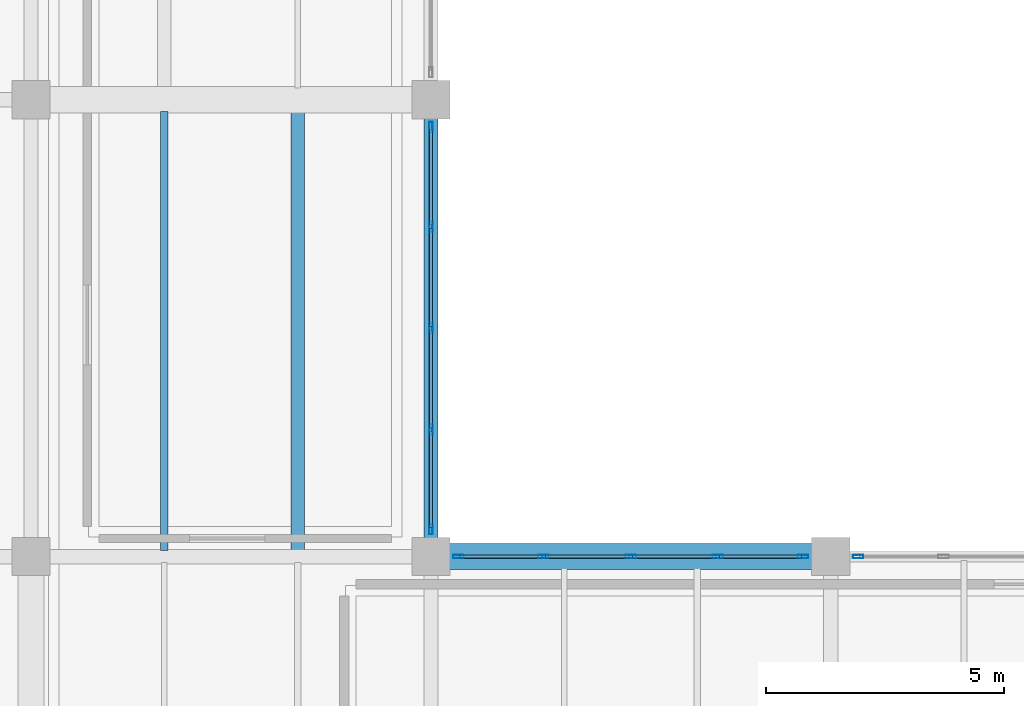
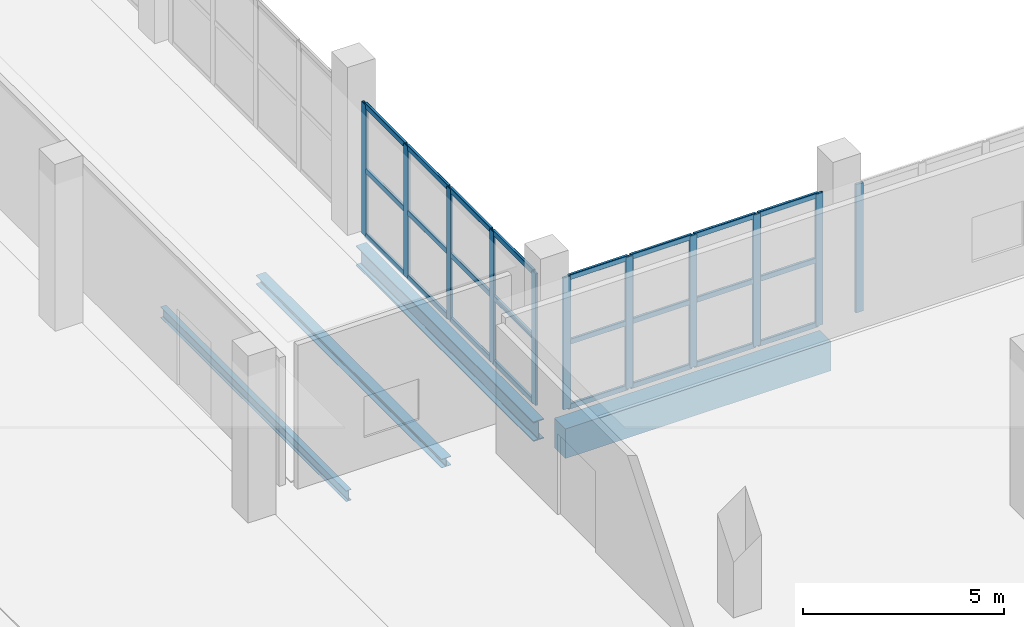
# One storey, part 37 of 73: 35 members, 4 beams, 3 elements without a shape of their own.
"""IFC4 building model written with IfcOpenShell, lengths in metres."""

from ifc_helpers import new_model, si_unit, direction, frame, origin, origin_2d, place, context, subcontext, project, spatial, rectangle, hollow_rectangle, i_section, extrude, material, layer, layer_set, material_profile, profile_set, type_object, element, aggregate, save


model = new_model("IFC4")

# Units and contexts
model_context = context("Model", 3, precision=1e-05, world=origin(), true_north=direction((0.0, 1.0)))
body_context = subcontext(model_context, "Body", "Model", "MODEL_VIEW")
ifc_project = project(units=[si_unit("LENGTHUNIT", "METRE"), si_unit("AREAUNIT", "SQUARE_METRE"), si_unit("VOLUMEUNIT", "CUBIC_METRE"), si_unit("PLANEANGLEUNIT", "RADIAN"), si_unit("MASSUNIT", "GRAM", prefix="KILO")], contexts=[model_context])

# Site, building, storey
site_placement = place(None, origin())
site = spatial("IfcSite", under=ifc_project, at=site_placement, CompositionType="ELEMENT")
building_placement = place(site_placement, origin())
building = spatial("IfcBuilding", under=site, at=building_placement, Name="Zulmaris Art Gallery", CompositionType="ELEMENT")
storey_placement = place(building_placement, frame((0.0, 0.0, 10.5)))
storey = spatial("IfcBuildingStorey", under=building, at=storey_placement, Name="L02", CompositionType="ELEMENT", Elevation=10.5)

# Beams
ifc_material_1 = material(Name="Steel S355J2", Category="steel")
ifc_material_profile_1 = material_profile(ifc_material_1, i_section(OverallWidth=0.300048828125, OverallDepth=0.60009765625, WebThickness=0.015380859375, FlangeThickness=0.030029296875, FilletRadius=0.027099609375, at=origin_2d()), Name="HEB 600")
ifc_profile_set_1 = profile_set([ifc_material_profile_1], Name="Steel S355J2")
beam_type_1 = type_object("IfcBeamType", Name="BEAM-BM15", PredefinedType="BEAM", material=ifc_profile_set_1)
beam_1_placement = place(storey_placement, frame((158.39990234375, 31.5849609375, -0.699951171875), z_axis=(0.0, 1.0, 0.0), x_axis=(-1.0, 0.0, 0.0)))
element("IfcBeam", 1, at=beam_1_placement, inside=storey, type_object=beam_type_1, Name="L02 Y-girder (x=158.4, 31.2..40.8)", PredefinedType="BEAM", context=body_context, shape_type="SweptSolid", body=[
    extrude(i_section(OverallWidth=0.300048828125, OverallDepth=0.60009765625, WebThickness=0.015380859375, FlangeThickness=0.030029296875, FilletRadius=0.027099609375, at=origin_2d()), origin(), (0.0, 0.0, 1.0), 8.830078125),
])
ifc_material_2 = material(Name="Concrete C40/50", Category="concrete")
ifc_material_profile_2 = material_profile(ifc_material_2, rectangle(XDim=0.550048828125, YDim=0.89990234375, at=origin_2d()), Name="RC 550x900")
ifc_profile_set_2 = profile_set([ifc_material_profile_2], Name="Concrete C40/50")
beam_type_2 = type_object("IfcBeamType", Name="BEAM-BM21", PredefinedType="BEAM", material=ifc_profile_set_2)
beam_2_placement = place(storey_placement, frame((158.784912109375, 31.199951171875, -0.85009765625), z_axis=(1.0, 0.0, 0.0), x_axis=(0.0, 1.0, 0.0)))
element("IfcBeam", 2, at=beam_2_placement, inside=storey, type_object=beam_type_2, Name="L02 X-girder (158.4..166.8, y=31.2)", PredefinedType="BEAM", context=body_context, shape_type="SweptSolid", body=[
    extrude(rectangle(XDim=0.550048828125, YDim=0.89990234375, at=origin_2d()), origin(), (0.0, 0.0, 1.0), 7.630126953125),
])
ifc_material_profile_3 = material_profile(ifc_material_1, i_section(OverallWidth=0.159912109375, OverallDepth=0.330078125, WebThickness=0.007568359375, FlangeThickness=0.011474609375, FilletRadius=0.01806640625, at=origin_2d()), Name="IPE 330")
ifc_profile_set_3 = profile_set([ifc_material_profile_3], Name="Steel S355J2")
beam_type_3 = type_object("IfcBeamType", Name="BEAM-JS03", PredefinedType="JOIST", material=ifc_profile_set_3)
beam_3_placement = place(storey_placement, frame((152.800048828125, 31.324951171875, -0.56494140625), z_axis=(0.0, 1.0, 0.0), x_axis=(-1.0, 0.0, 0.0)))
element("IfcBeam", 3, at=beam_3_placement, inside=storey, type_object=beam_type_3, Name="L02 secondary joist at x=152.8", PredefinedType="JOIST", context=body_context, shape_type="SweptSolid", body=[
    extrude(i_section(OverallWidth=0.159912109375, OverallDepth=0.330078125, WebThickness=0.007568359375, FlangeThickness=0.011474609375, FilletRadius=0.01806640625, at=origin_2d()), origin(), (0.0, 0.0, 1.0), 9.22509765625),
])
ifc_material_profile_4 = material_profile(ifc_material_1, i_section(OverallWidth=0.280029296875, OverallDepth=0.27001953125, WebThickness=0.008056640625, FlangeThickness=0.012939453125, FilletRadius=0.02392578125, at=origin_2d()), Name="HEA 280")
ifc_profile_set_4 = profile_set([ifc_material_profile_4], Name="Steel S355J2")
beam_type_4 = type_object("IfcBeamType", Name="BEAM-JS04", PredefinedType="JOIST", material=ifc_profile_set_4)
beam_4_placement = place(storey_placement, frame((155.60009765625, 31.324951171875, -0.534912109375), z_axis=(0.0, 1.0, 0.0), x_axis=(-1.0, 0.0, 0.0)))
element("IfcBeam", 4, at=beam_4_placement, inside=storey, type_object=beam_type_4, Name="L02 secondary joist at x=155.6", PredefinedType="JOIST", context=body_context, shape_type="SweptSolid", body=[
    extrude(i_section(OverallWidth=0.280029296875, OverallDepth=0.27001953125, WebThickness=0.008056640625, FlangeThickness=0.012939453125, FilletRadius=0.02392578125, at=origin_2d()), origin(), (0.0, 0.0, 1.0), 9.22509765625),
])

# Curtain wall, members
ifc_material_3 = material(Name="Courtyard Artists Studio Curtain Wall", Category="aluminium")
ifc_layer = layer(ifc_material_3, 0.179931640625)
ifc_layer_set = layer_set([ifc_layer], Name="Courtyard Artists Studio Curtain Wall")
curtain_wall_type = type_object("IfcCurtainWallType", Name="CW-CW04", PredefinedType="NOTDEFINED", material=ifc_layer_set)
curtain_wall_1_placement = place(storey_placement, origin())
curtain_wall_1 = element("IfcCurtainWall", 5, at=curtain_wall_1_placement, inside=storey, type_object=curtain_wall_type, Name="L02 curtain wall 135", PredefinedType="NOTDEFINED")
ifc_material_4 = material(Name="Anodised Bronze Aluminium", Category="aluminium")
ifc_material_profile_5 = material_profile(ifc_material_4, hollow_rectangle(XDim=0.074951171875, YDim=0.219970703125, WallThickness=0.0048828125, InnerFilletRadius=0.007568359375, OuterFilletRadius=0.012451171875, at=origin_2d()), Name="ALU 75x220x5")
ifc_profile_set_5 = profile_set([ifc_material_profile_5], Name="Anodised Bronze Aluminium")
member_type_1 = type_object("IfcMemberType", Name="CWMUL-02", PredefinedType="MULLION", material=ifc_profile_set_5)
member_1_placement = place(storey_placement, frame((158.39990234375, 31.777587890625, 0.0), z_axis=(0.0, 0.0, 1.0), x_axis=(-1.0, 0.0, 0.0)))
member_1 = element("IfcMember", 6, at=member_1_placement, type_object=member_type_1, Name="CW04 mullion 1", PredefinedType="MULLION", context=body_context, shape_type="SweptSolid", body=[
    extrude(hollow_rectangle(XDim=0.074951171875, YDim=0.219970703125, WallThickness=0.0048828125, InnerFilletRadius=0.007568359375, OuterFilletRadius=0.012451171875, at=origin_2d()), origin(), (0.0, 0.0, 1.0), 4.0),
])
member_2_placement = place(storey_placement, frame((158.39990234375, 33.8701171875, 0.0), z_axis=(0.0, 0.0, 1.0), x_axis=(-1.0, 0.0, 0.0)))
member_2 = element("IfcMember", 7, at=member_2_placement, type_object=member_type_1, Name="CW04 mullion 2", PredefinedType="MULLION", context=body_context, shape_type="SweptSolid", body=[
    extrude(hollow_rectangle(XDim=0.074951171875, YDim=0.219970703125, WallThickness=0.0048828125, InnerFilletRadius=0.007568359375, OuterFilletRadius=0.012451171875, at=origin_2d()), origin(), (0.0, 0.0, 1.0), 4.0),
])
member_3_placement = place(storey_placement, frame((158.39990234375, 36.0, 0.0), z_axis=(0.0, 0.0, 1.0), x_axis=(-1.0, 0.0, 0.0)))
member_3 = element("IfcMember", 8, at=member_3_placement, type_object=member_type_1, Name="CW04 mullion 3", PredefinedType="MULLION", context=body_context, shape_type="SweptSolid", body=[
    extrude(hollow_rectangle(XDim=0.074951171875, YDim=0.219970703125, WallThickness=0.0048828125, InnerFilletRadius=0.007568359375, OuterFilletRadius=0.012451171875, at=origin_2d()), origin(), (0.0, 0.0, 1.0), 4.0),
])
member_4_placement = place(storey_placement, frame((158.39990234375, 38.1298828125, 0.0), z_axis=(0.0, 0.0, 1.0), x_axis=(-1.0, 0.0, 0.0)))
member_4 = element("IfcMember", 9, at=member_4_placement, type_object=member_type_1, Name="CW04 mullion 4", PredefinedType="MULLION", context=body_context, shape_type="SweptSolid", body=[
    extrude(hollow_rectangle(XDim=0.074951171875, YDim=0.219970703125, WallThickness=0.0048828125, InnerFilletRadius=0.007568359375, OuterFilletRadius=0.012451171875, at=origin_2d()), origin(), (0.0, 0.0, 1.0), 4.0),
])
member_5_placement = place(storey_placement, frame((158.39990234375, 40.222412109375, 0.0), z_axis=(0.0, 0.0, 1.0), x_axis=(-1.0, 0.0, 0.0)))
member_5 = element("IfcMember", 10, at=member_5_placement, type_object=member_type_1, Name="CW04 mullion 5", PredefinedType="MULLION", context=body_context, shape_type="SweptSolid", body=[
    extrude(hollow_rectangle(XDim=0.074951171875, YDim=0.219970703125, WallThickness=0.0048828125, InnerFilletRadius=0.007568359375, OuterFilletRadius=0.012451171875, at=origin_2d()), origin(), (0.0, 0.0, 1.0), 4.0),
])

curtain_wall_2_placement = place(storey_placement, origin())
curtain_wall_2 = element("IfcCurtainWall", 11, at=curtain_wall_2_placement, inside=storey, type_object=curtain_wall_type, Name="L02 curtain wall 142", PredefinedType="NOTDEFINED")
member_6_placement = place(storey_placement, frame((158.9775390625, 31.199951171875, 0.0), z_axis=(0.0, 0.0, 1.0), x_axis=(0.0, 1.0, 0.0)))
member_6 = element("IfcMember", 12, at=member_6_placement, type_object=member_type_1, Name="CW04 mullion 1", PredefinedType="MULLION", context=body_context, shape_type="SweptSolid", body=[
    extrude(hollow_rectangle(XDim=0.074951171875, YDim=0.219970703125, WallThickness=0.0048828125, InnerFilletRadius=0.007568359375, OuterFilletRadius=0.012451171875, at=origin_2d()), origin(), (0.0, 0.0, 1.0), 4.0),
])
member_7_placement = place(storey_placement, frame((160.77001953125, 31.199951171875, 0.0), z_axis=(0.0, 0.0, 1.0), x_axis=(0.0, 1.0, 0.0)))
member_7 = element("IfcMember", 13, at=member_7_placement, type_object=member_type_1, Name="CW04 mullion 2", PredefinedType="MULLION", context=body_context, shape_type="SweptSolid", body=[
    extrude(hollow_rectangle(XDim=0.074951171875, YDim=0.219970703125, WallThickness=0.0048828125, InnerFilletRadius=0.007568359375, OuterFilletRadius=0.012451171875, at=origin_2d()), origin(), (0.0, 0.0, 1.0), 4.0),
])
member_8_placement = place(storey_placement, frame((162.60009765625, 31.199951171875, 0.0), z_axis=(0.0, 0.0, 1.0), x_axis=(0.0, 1.0, 0.0)))
member_8 = element("IfcMember", 14, at=member_8_placement, type_object=member_type_1, Name="CW04 mullion 3", PredefinedType="MULLION", context=body_context, shape_type="SweptSolid", body=[
    extrude(hollow_rectangle(XDim=0.074951171875, YDim=0.219970703125, WallThickness=0.0048828125, InnerFilletRadius=0.007568359375, OuterFilletRadius=0.012451171875, at=origin_2d()), origin(), (0.0, 0.0, 1.0), 4.0),
])
member_9_placement = place(storey_placement, frame((164.429931640625, 31.199951171875, 0.0), z_axis=(0.0, 0.0, 1.0), x_axis=(0.0, 1.0, 0.0)))
member_9 = element("IfcMember", 15, at=member_9_placement, type_object=member_type_1, Name="CW04 mullion 4", PredefinedType="MULLION", context=body_context, shape_type="SweptSolid", body=[
    extrude(hollow_rectangle(XDim=0.074951171875, YDim=0.219970703125, WallThickness=0.0048828125, InnerFilletRadius=0.007568359375, OuterFilletRadius=0.012451171875, at=origin_2d()), origin(), (0.0, 0.0, 1.0), 4.0),
])
member_10_placement = place(storey_placement, frame((166.222412109375, 31.199951171875, 0.0), z_axis=(0.0, 0.0, 1.0), x_axis=(0.0, 1.0, 0.0)))
member_10 = element("IfcMember", 16, at=member_10_placement, type_object=member_type_1, Name="CW04 mullion 5", PredefinedType="MULLION", context=body_context, shape_type="SweptSolid", body=[
    extrude(hollow_rectangle(XDim=0.074951171875, YDim=0.219970703125, WallThickness=0.0048828125, InnerFilletRadius=0.007568359375, OuterFilletRadius=0.012451171875, at=origin_2d()), origin(), (0.0, 0.0, 1.0), 4.0),
])

# Curtain wall, member
curtain_wall_3_placement = place(storey_placement, origin())
curtain_wall_3 = element("IfcCurtainWall", 17, at=curtain_wall_3_placement, inside=storey, type_object=curtain_wall_type, Name="L02 curtain wall 144", PredefinedType="NOTDEFINED")
member_11_placement = place(storey_placement, frame((167.37744140625, 31.199951171875, 0.0), z_axis=(0.0, 0.0, 1.0), x_axis=(0.0, 1.0, 0.0)))
member_11 = element("IfcMember", 18, at=member_11_placement, type_object=member_type_1, Name="CW04 mullion 1", PredefinedType="MULLION", context=body_context, shape_type="SweptSolid", body=[
    extrude(hollow_rectangle(XDim=0.074951171875, YDim=0.219970703125, WallThickness=0.0048828125, InnerFilletRadius=0.007568359375, OuterFilletRadius=0.012451171875, at=origin_2d()), origin(), (0.0, 0.0, 1.0), 3.89990234375),
])
aggregate(curtain_wall_3, [member_11])

# Member
ifc_material_profile_6 = material_profile(ifc_material_4, hollow_rectangle(XDim=0.074951171875, YDim=0.159912109375, WallThickness=0.00390625, InnerFilletRadius=0.006103515625, OuterFilletRadius=0.010009765625, at=origin_2d()), Name="ALU 75x160x4")
ifc_profile_set_6 = profile_set([ifc_material_profile_6], Name="Anodised Bronze Aluminium")
member_type_2 = type_object("IfcMemberType", Name="CWTRN-02", PredefinedType="USERDEFINED", material=ifc_profile_set_6)
member_12_placement = place(storey_placement, frame((158.39990234375, 31.81494140625, 0.03759765625), z_axis=(0.0, 1.0, 0.0), x_axis=(-1.0, 0.0, 0.0)))
member_12 = element("IfcMember", 19, at=member_12_placement, type_object=member_type_2, Name="CW04 transom 1.1", ObjectType="TRANSOM", PredefinedType="USERDEFINED", context=body_context, shape_type="SweptSolid", body=[
    extrude(hollow_rectangle(XDim=0.074951171875, YDim=0.159912109375, WallThickness=0.00390625, InnerFilletRadius=0.006103515625, OuterFilletRadius=0.010009765625, at=origin_2d()), origin(), (0.0, 0.0, 1.0), 2.017578125),
])

member_13_placement = place(storey_placement, frame((158.39990234375, 31.81494140625, 2.0), z_axis=(0.0, 1.0, 0.0), x_axis=(-1.0, 0.0, 0.0)))
member_13 = element("IfcMember", 20, at=member_13_placement, type_object=member_type_2, Name="CW04 transom 1.2", ObjectType="TRANSOM", PredefinedType="USERDEFINED", context=body_context, shape_type="SweptSolid", body=[
    extrude(hollow_rectangle(XDim=0.074951171875, YDim=0.159912109375, WallThickness=0.00390625, InnerFilletRadius=0.006103515625, OuterFilletRadius=0.010009765625, at=origin_2d()), origin(), (0.0, 0.0, 1.0), 2.017578125),
])

member_14_placement = place(storey_placement, frame((158.39990234375, 31.81494140625, 3.96240234375), z_axis=(0.0, 1.0, 0.0), x_axis=(-1.0, 0.0, 0.0)))
member_14 = element("IfcMember", 21, at=member_14_placement, type_object=member_type_2, Name="CW04 transom 1.3", ObjectType="TRANSOM", PredefinedType="USERDEFINED", context=body_context, shape_type="SweptSolid", body=[
    extrude(hollow_rectangle(XDim=0.074951171875, YDim=0.159912109375, WallThickness=0.00390625, InnerFilletRadius=0.006103515625, OuterFilletRadius=0.010009765625, at=origin_2d()), origin(), (0.0, 0.0, 1.0), 2.017578125),
])

member_15_placement = place(storey_placement, frame((158.39990234375, 33.907470703125, 0.03759765625), z_axis=(0.0, 1.0, 0.0), x_axis=(-1.0, 0.0, 0.0)))
member_15 = element("IfcMember", 22, at=member_15_placement, type_object=member_type_2, Name="CW04 transom 2.1", ObjectType="TRANSOM", PredefinedType="USERDEFINED", context=body_context, shape_type="SweptSolid", body=[
    extrude(hollow_rectangle(XDim=0.074951171875, YDim=0.159912109375, WallThickness=0.00390625, InnerFilletRadius=0.006103515625, OuterFilletRadius=0.010009765625, at=origin_2d()), origin(), (0.0, 0.0, 1.0), 2.054931640625),
])

member_16_placement = place(storey_placement, frame((158.39990234375, 33.907470703125, 2.0), z_axis=(0.0, 1.0, 0.0), x_axis=(-1.0, 0.0, 0.0)))
member_16 = element("IfcMember", 23, at=member_16_placement, type_object=member_type_2, Name="CW04 transom 2.2", ObjectType="TRANSOM", PredefinedType="USERDEFINED", context=body_context, shape_type="SweptSolid", body=[
    extrude(hollow_rectangle(XDim=0.074951171875, YDim=0.159912109375, WallThickness=0.00390625, InnerFilletRadius=0.006103515625, OuterFilletRadius=0.010009765625, at=origin_2d()), origin(), (0.0, 0.0, 1.0), 2.054931640625),
])

member_17_placement = place(storey_placement, frame((158.39990234375, 33.907470703125, 3.96240234375), z_axis=(0.0, 1.0, 0.0), x_axis=(-1.0, 0.0, 0.0)))
member_17 = element("IfcMember", 24, at=member_17_placement, type_object=member_type_2, Name="CW04 transom 2.3", ObjectType="TRANSOM", PredefinedType="USERDEFINED", context=body_context, shape_type="SweptSolid", body=[
    extrude(hollow_rectangle(XDim=0.074951171875, YDim=0.159912109375, WallThickness=0.00390625, InnerFilletRadius=0.006103515625, OuterFilletRadius=0.010009765625, at=origin_2d()), origin(), (0.0, 0.0, 1.0), 2.054931640625),
])

member_18_placement = place(storey_placement, frame((158.39990234375, 36.03759765625, 0.03759765625), z_axis=(0.0, 1.0, 0.0), x_axis=(-1.0, 0.0, 0.0)))
member_18 = element("IfcMember", 25, at=member_18_placement, type_object=member_type_2, Name="CW04 transom 3.1", ObjectType="TRANSOM", PredefinedType="USERDEFINED", context=body_context, shape_type="SweptSolid", body=[
    extrude(hollow_rectangle(XDim=0.074951171875, YDim=0.159912109375, WallThickness=0.00390625, InnerFilletRadius=0.006103515625, OuterFilletRadius=0.010009765625, at=origin_2d()), origin(), (0.0, 0.0, 1.0), 2.054931640625),
])

member_19_placement = place(storey_placement, frame((158.39990234375, 36.03759765625, 2.0), z_axis=(0.0, 1.0, 0.0), x_axis=(-1.0, 0.0, 0.0)))
member_19 = element("IfcMember", 26, at=member_19_placement, type_object=member_type_2, Name="CW04 transom 3.2", ObjectType="TRANSOM", PredefinedType="USERDEFINED", context=body_context, shape_type="SweptSolid", body=[
    extrude(hollow_rectangle(XDim=0.074951171875, YDim=0.159912109375, WallThickness=0.00390625, InnerFilletRadius=0.006103515625, OuterFilletRadius=0.010009765625, at=origin_2d()), origin(), (0.0, 0.0, 1.0), 2.054931640625),
])

member_20_placement = place(storey_placement, frame((158.39990234375, 36.03759765625, 3.96240234375), z_axis=(0.0, 1.0, 0.0), x_axis=(-1.0, 0.0, 0.0)))
member_20 = element("IfcMember", 27, at=member_20_placement, type_object=member_type_2, Name="CW04 transom 3.3", ObjectType="TRANSOM", PredefinedType="USERDEFINED", context=body_context, shape_type="SweptSolid", body=[
    extrude(hollow_rectangle(XDim=0.074951171875, YDim=0.159912109375, WallThickness=0.00390625, InnerFilletRadius=0.006103515625, OuterFilletRadius=0.010009765625, at=origin_2d()), origin(), (0.0, 0.0, 1.0), 2.054931640625),
])

member_21_placement = place(storey_placement, frame((158.39990234375, 38.16748046875, 0.03759765625), z_axis=(0.0, 1.0, 0.0), x_axis=(-1.0, 0.0, 0.0)))
member_21 = element("IfcMember", 28, at=member_21_placement, type_object=member_type_2, Name="CW04 transom 4.1", ObjectType="TRANSOM", PredefinedType="USERDEFINED", context=body_context, shape_type="SweptSolid", body=[
    extrude(hollow_rectangle(XDim=0.074951171875, YDim=0.159912109375, WallThickness=0.00390625, InnerFilletRadius=0.006103515625, OuterFilletRadius=0.010009765625, at=origin_2d()), origin(), (0.0, 0.0, 1.0), 2.017578125),
])

member_22_placement = place(storey_placement, frame((158.39990234375, 38.16748046875, 2.0), z_axis=(0.0, 1.0, 0.0), x_axis=(-1.0, 0.0, 0.0)))
member_22 = element("IfcMember", 29, at=member_22_placement, type_object=member_type_2, Name="CW04 transom 4.2", ObjectType="TRANSOM", PredefinedType="USERDEFINED", context=body_context, shape_type="SweptSolid", body=[
    extrude(hollow_rectangle(XDim=0.074951171875, YDim=0.159912109375, WallThickness=0.00390625, InnerFilletRadius=0.006103515625, OuterFilletRadius=0.010009765625, at=origin_2d()), origin(), (0.0, 0.0, 1.0), 2.017578125),
])

member_23_placement = place(storey_placement, frame((158.39990234375, 38.16748046875, 3.96240234375), z_axis=(0.0, 1.0, 0.0), x_axis=(-1.0, 0.0, 0.0)))
member_23 = element("IfcMember", 30, at=member_23_placement, type_object=member_type_2, Name="CW04 transom 4.3", ObjectType="TRANSOM", PredefinedType="USERDEFINED", context=body_context, shape_type="SweptSolid", body=[
    extrude(hollow_rectangle(XDim=0.074951171875, YDim=0.159912109375, WallThickness=0.00390625, InnerFilletRadius=0.006103515625, OuterFilletRadius=0.010009765625, at=origin_2d()), origin(), (0.0, 0.0, 1.0), 2.017578125),
])

aggregate(curtain_wall_1, [member_1, member_2, member_3, member_4, member_5, member_12, member_13, member_14, member_15, member_16, member_17, member_18, member_19, member_20, member_21, member_22, member_23])

member_24_placement = place(storey_placement, frame((159.014892578125, 31.199951171875, 0.03759765625), z_axis=(1.0, 0.0, 0.0), x_axis=(0.0, 1.0, 0.0)))
member_24 = element("IfcMember", 31, at=member_24_placement, type_object=member_type_2, Name="CW04 transom 1.1", ObjectType="TRANSOM", PredefinedType="USERDEFINED", context=body_context, shape_type="SweptSolid", body=[
    extrude(hollow_rectangle(XDim=0.074951171875, YDim=0.159912109375, WallThickness=0.00390625, InnerFilletRadius=0.006103515625, OuterFilletRadius=0.010009765625, at=origin_2d()), origin(), (0.0, 0.0, 1.0), 1.717529296875),
])

member_25_placement = place(storey_placement, frame((159.014892578125, 31.199951171875, 2.0), z_axis=(1.0, 0.0, 0.0), x_axis=(0.0, 1.0, 0.0)))
member_25 = element("IfcMember", 32, at=member_25_placement, type_object=member_type_2, Name="CW04 transom 1.2", ObjectType="TRANSOM", PredefinedType="USERDEFINED", context=body_context, shape_type="SweptSolid", body=[
    extrude(hollow_rectangle(XDim=0.074951171875, YDim=0.159912109375, WallThickness=0.00390625, InnerFilletRadius=0.006103515625, OuterFilletRadius=0.010009765625, at=origin_2d()), origin(), (0.0, 0.0, 1.0), 1.717529296875),
])

member_26_placement = place(storey_placement, frame((159.014892578125, 31.199951171875, 3.96240234375), z_axis=(1.0, 0.0, 0.0), x_axis=(0.0, 1.0, 0.0)))
member_26 = element("IfcMember", 33, at=member_26_placement, type_object=member_type_2, Name="CW04 transom 1.3", ObjectType="TRANSOM", PredefinedType="USERDEFINED", context=body_context, shape_type="SweptSolid", body=[
    extrude(hollow_rectangle(XDim=0.074951171875, YDim=0.159912109375, WallThickness=0.00390625, InnerFilletRadius=0.006103515625, OuterFilletRadius=0.010009765625, at=origin_2d()), origin(), (0.0, 0.0, 1.0), 1.717529296875),
])

member_27_placement = place(storey_placement, frame((160.8076171875, 31.199951171875, 0.03759765625), z_axis=(1.0, 0.0, 0.0), x_axis=(0.0, 1.0, 0.0)))
member_27 = element("IfcMember", 34, at=member_27_placement, type_object=member_type_2, Name="CW04 transom 2.1", ObjectType="TRANSOM", PredefinedType="USERDEFINED", context=body_context, shape_type="SweptSolid", body=[
    extrude(hollow_rectangle(XDim=0.074951171875, YDim=0.159912109375, WallThickness=0.00390625, InnerFilletRadius=0.006103515625, OuterFilletRadius=0.010009765625, at=origin_2d()), origin(), (0.0, 0.0, 1.0), 1.7548828125),
])

member_28_placement = place(storey_placement, frame((160.8076171875, 31.199951171875, 2.0), z_axis=(1.0, 0.0, 0.0), x_axis=(0.0, 1.0, 0.0)))
member_28 = element("IfcMember", 35, at=member_28_placement, type_object=member_type_2, Name="CW04 transom 2.2", ObjectType="TRANSOM", PredefinedType="USERDEFINED", context=body_context, shape_type="SweptSolid", body=[
    extrude(hollow_rectangle(XDim=0.074951171875, YDim=0.159912109375, WallThickness=0.00390625, InnerFilletRadius=0.006103515625, OuterFilletRadius=0.010009765625, at=origin_2d()), origin(), (0.0, 0.0, 1.0), 1.7548828125),
])

member_29_placement = place(storey_placement, frame((160.8076171875, 31.199951171875, 3.96240234375), z_axis=(1.0, 0.0, 0.0), x_axis=(0.0, 1.0, 0.0)))
member_29 = element("IfcMember", 36, at=member_29_placement, type_object=member_type_2, Name="CW04 transom 2.3", ObjectType="TRANSOM", PredefinedType="USERDEFINED", context=body_context, shape_type="SweptSolid", body=[
    extrude(hollow_rectangle(XDim=0.074951171875, YDim=0.159912109375, WallThickness=0.00390625, InnerFilletRadius=0.006103515625, OuterFilletRadius=0.010009765625, at=origin_2d()), origin(), (0.0, 0.0, 1.0), 1.7548828125),
])

member_30_placement = place(storey_placement, frame((162.637451171875, 31.199951171875, 0.03759765625), z_axis=(1.0, 0.0, 0.0), x_axis=(0.0, 1.0, 0.0)))
member_30 = element("IfcMember", 37, at=member_30_placement, type_object=member_type_2, Name="CW04 transom 3.1", ObjectType="TRANSOM", PredefinedType="USERDEFINED", context=body_context, shape_type="SweptSolid", body=[
    extrude(hollow_rectangle(XDim=0.074951171875, YDim=0.159912109375, WallThickness=0.00390625, InnerFilletRadius=0.006103515625, OuterFilletRadius=0.010009765625, at=origin_2d()), origin(), (0.0, 0.0, 1.0), 1.755126953125),
])

member_31_placement = place(storey_placement, frame((162.637451171875, 31.199951171875, 2.0), z_axis=(1.0, 0.0, 0.0), x_axis=(0.0, 1.0, 0.0)))
member_31 = element("IfcMember", 38, at=member_31_placement, type_object=member_type_2, Name="CW04 transom 3.2", ObjectType="TRANSOM", PredefinedType="USERDEFINED", context=body_context, shape_type="SweptSolid", body=[
    extrude(hollow_rectangle(XDim=0.074951171875, YDim=0.159912109375, WallThickness=0.00390625, InnerFilletRadius=0.006103515625, OuterFilletRadius=0.010009765625, at=origin_2d()), origin(), (0.0, 0.0, 1.0), 1.755126953125),
])

member_32_placement = place(storey_placement, frame((162.637451171875, 31.199951171875, 3.96240234375), z_axis=(1.0, 0.0, 0.0), x_axis=(0.0, 1.0, 0.0)))
member_32 = element("IfcMember", 39, at=member_32_placement, type_object=member_type_2, Name="CW04 transom 3.3", ObjectType="TRANSOM", PredefinedType="USERDEFINED", context=body_context, shape_type="SweptSolid", body=[
    extrude(hollow_rectangle(XDim=0.074951171875, YDim=0.159912109375, WallThickness=0.00390625, InnerFilletRadius=0.006103515625, OuterFilletRadius=0.010009765625, at=origin_2d()), origin(), (0.0, 0.0, 1.0), 1.755126953125),
])

member_33_placement = place(storey_placement, frame((164.467529296875, 31.199951171875, 0.03759765625), z_axis=(1.0, 0.0, 0.0), x_axis=(0.0, 1.0, 0.0)))
member_33 = element("IfcMember", 40, at=member_33_placement, type_object=member_type_2, Name="CW04 transom 4.1", ObjectType="TRANSOM", PredefinedType="USERDEFINED", context=body_context, shape_type="SweptSolid", body=[
    extrude(hollow_rectangle(XDim=0.074951171875, YDim=0.159912109375, WallThickness=0.00390625, InnerFilletRadius=0.006103515625, OuterFilletRadius=0.010009765625, at=origin_2d()), origin(), (0.0, 0.0, 1.0), 1.717529296875),
])

member_34_placement = place(storey_placement, frame((164.467529296875, 31.199951171875, 2.0), z_axis=(1.0, 0.0, 0.0), x_axis=(0.0, 1.0, 0.0)))
member_34 = element("IfcMember", 41, at=member_34_placement, type_object=member_type_2, Name="CW04 transom 4.2", ObjectType="TRANSOM", PredefinedType="USERDEFINED", context=body_context, shape_type="SweptSolid", body=[
    extrude(hollow_rectangle(XDim=0.074951171875, YDim=0.159912109375, WallThickness=0.00390625, InnerFilletRadius=0.006103515625, OuterFilletRadius=0.010009765625, at=origin_2d()), origin(), (0.0, 0.0, 1.0), 1.717529296875),
])

member_35_placement = place(storey_placement, frame((164.467529296875, 31.199951171875, 3.96240234375), z_axis=(1.0, 0.0, 0.0), x_axis=(0.0, 1.0, 0.0)))
member_35 = element("IfcMember", 42, at=member_35_placement, type_object=member_type_2, Name="CW04 transom 4.3", ObjectType="TRANSOM", PredefinedType="USERDEFINED", context=body_context, shape_type="SweptSolid", body=[
    extrude(hollow_rectangle(XDim=0.074951171875, YDim=0.159912109375, WallThickness=0.00390625, InnerFilletRadius=0.006103515625, OuterFilletRadius=0.010009765625, at=origin_2d()), origin(), (0.0, 0.0, 1.0), 1.717529296875),
])

aggregate(curtain_wall_2, [member_6, member_7, member_8, member_9, member_10, member_24, member_25, member_26, member_27, member_28, member_29, member_30, member_31, member_32, member_33, member_34, member_35])

save(model, "model.ifc")
